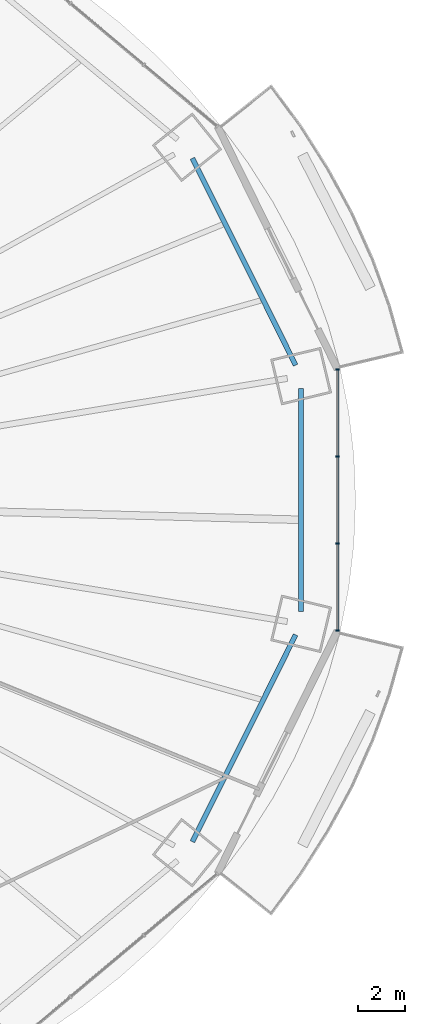
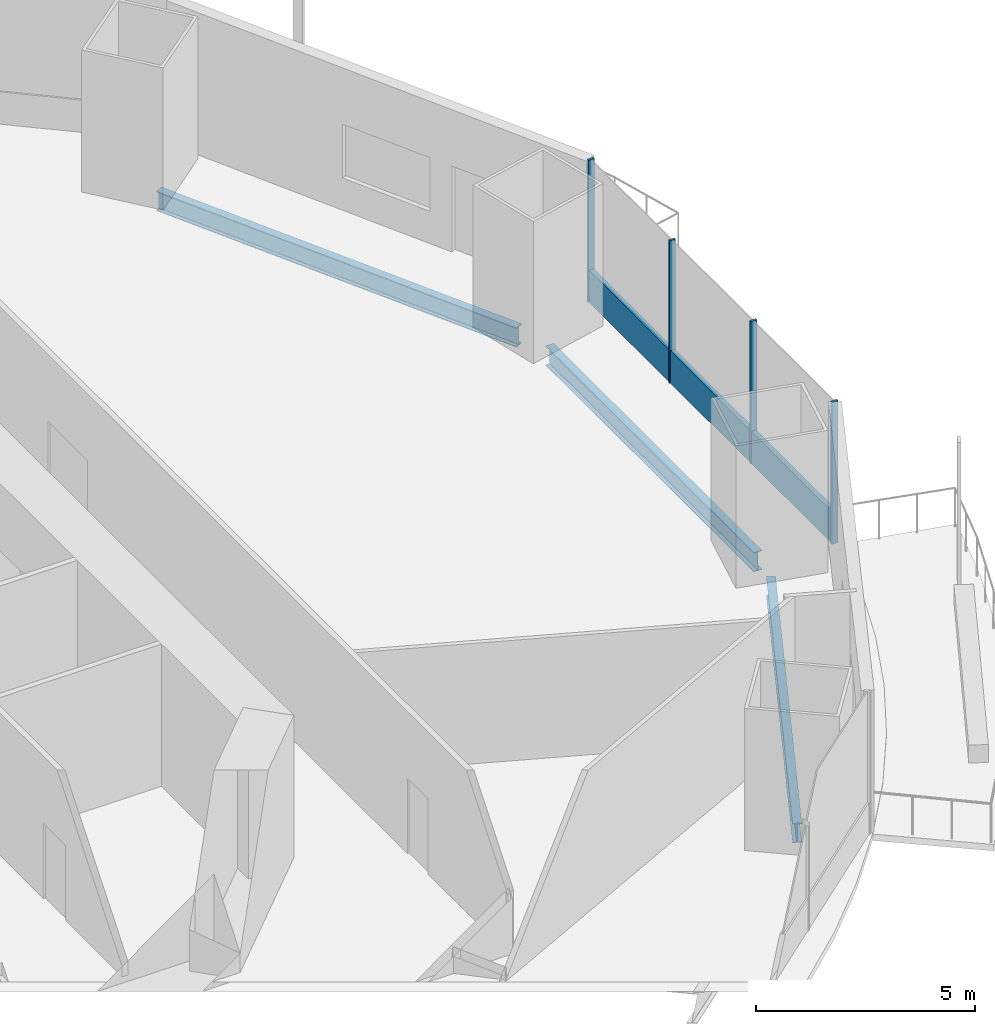
# One storey, part 11 of 22: 5 members, 3 beams, 1 element without a shape of its own.
"""IFC4 building model written with IfcOpenShell, lengths in metres."""

from ifc_helpers import new_model, si_unit, direction, frame, origin, origin_2d, place, context, subcontext, project, spatial, rectangle, i_section, extrude, material, material_profile, profile_set, type_object, element, aggregate, save


model = new_model("IFC4")

# Units and contexts
model_context = context("Model", 3, precision=1e-05, world=origin(), true_north=direction((0.0, 1.0)))
body_context = subcontext(model_context, "Body", "Model", "MODEL_VIEW")
ifc_project = project(units=[si_unit("LENGTHUNIT", "METRE"), si_unit("AREAUNIT", "SQUARE_METRE"), si_unit("VOLUMEUNIT", "CUBIC_METRE"), si_unit("PLANEANGLEUNIT", "RADIAN"), si_unit("MASSUNIT", "GRAM", prefix="KILO")], contexts=[model_context])

# Site, building, storey
site_placement = place(None, origin())
site = spatial("IfcSite", under=ifc_project, at=site_placement, CompositionType="ELEMENT")
building_placement = place(site_placement, origin())
building = spatial("IfcBuilding", under=site, at=building_placement, Name="Marenthal Gate Tower", CompositionType="ELEMENT")
storey_placement = place(building_placement, frame((0.0, 0.0, 111.85009765625)))
storey = spatial("IfcBuildingStorey", under=building, at=storey_placement, Name="L23", CompositionType="ELEMENT", Elevation=111.85009765625)

# Curtain wall, members
ifc_material_1 = material(Name="Aluminium and glass", Category="aluminium")
curtain_wall_type = type_object("IfcCurtainWallType", Name="Curtain wall typical low", PredefinedType="NOTDEFINED", material=ifc_material_1)
curtain_wall_placement = place(storey_placement, origin())
curtain_wall = element("IfcCurtainWall", 1, at=curtain_wall_placement, inside=storey, type_object=curtain_wall_type, Name="Curtain wall L23 bay 16", PredefinedType="NOTDEFINED")
ifc_material_2 = material(Name="Aluminium", Category="aluminium")
ifc_material_profile_1 = material_profile(ifc_material_2, rectangle(XDim=0.159912109375, YDim=0.06005859375, at=origin_2d()), Name="60x160 aluminium mullion")
ifc_profile_set_1 = profile_set([ifc_material_profile_1], Name="Aluminium")
member_type_1 = type_object("IfcMemberType", Name="Mullion 60x160 typical low", PredefinedType="MULLION", material=ifc_profile_set_1)
member_1_placement = place(storey_placement, frame((33.568359375, -5.56689453125, 0.0), z_axis=(0.0, 0.0, 1.0), x_axis=(-1.0, 0.0, 0.0)))
member_1 = element("IfcMember", 2, at=member_1_placement, type_object=member_type_1, Name="Mullion L23 bay 16.1", PredefinedType="MULLION", context=body_context, shape_type="SweptSolid", body=[
    extrude(rectangle(XDim=0.159912109375, YDim=0.06005859375, at=origin_2d()), origin(), (0.0, 0.0, 1.0), 3.969970703125),
])
member_2_placement = place(storey_placement, frame((33.568359375, -1.855712890625, 0.0), z_axis=(0.0, 0.0, 1.0), x_axis=(-1.0, 0.0, 0.0)))
member_2 = element("IfcMember", 3, at=member_2_placement, type_object=member_type_1, Name="Mullion L23 bay 16.2", PredefinedType="MULLION", context=body_context, shape_type="SweptSolid", body=[
    extrude(rectangle(XDim=0.159912109375, YDim=0.06005859375, at=origin_2d()), origin(), (0.0, 0.0, 1.0), 3.969970703125),
])
member_3_placement = place(storey_placement, frame((33.568359375, 1.855712890625, 0.0), z_axis=(0.0, 0.0, 1.0), x_axis=(-1.0, 0.0, 0.0)))
member_3 = element("IfcMember", 4, at=member_3_placement, type_object=member_type_1, Name="Mullion L23 bay 16.3", PredefinedType="MULLION", context=body_context, shape_type="SweptSolid", body=[
    extrude(rectangle(XDim=0.159912109375, YDim=0.06005859375, at=origin_2d()), origin(), (0.0, 0.0, 1.0), 3.969970703125),
])
member_4_placement = place(storey_placement, frame((33.568359375, 5.56689453125, 0.0), z_axis=(0.0, 0.0, 1.0), x_axis=(-1.0, 0.0, 0.0)))
member_4 = element("IfcMember", 5, at=member_4_placement, type_object=member_type_1, Name="Mullion L23 bay 16.4", PredefinedType="MULLION", context=body_context, shape_type="SweptSolid", body=[
    extrude(rectangle(XDim=0.159912109375, YDim=0.06005859375, at=origin_2d()), origin(), (0.0, 0.0, 1.0), 3.969970703125),
])
ifc_material_3 = material(Name="Aluminium", Category="aluminium")
ifc_material_profile_2 = material_profile(ifc_material_3, rectangle(XDim=0.1201171875, YDim=0.89990234375, at=origin_2d()), Name="120x900 aluminium transom")
ifc_profile_set_2 = profile_set([ifc_material_profile_2], Name="Aluminium")
member_type_2 = type_object("IfcMemberType", Name="Transom 120x900 typical low", PredefinedType="USERDEFINED", material=ifc_profile_set_2)
member_5_placement = place(storey_placement, frame((33.568359375, -5.536865234375, 0.449951171875), z_axis=(0.0, 1.0, 0.0), x_axis=(-1.0, 0.0, 0.0)))
member_5 = element("IfcMember", 6, at=member_5_placement, type_object=member_type_2, Name="Transom L23 bay 16", ObjectType="TRANSOM", PredefinedType="USERDEFINED", context=body_context, shape_type="SweptSolid", body=[
    extrude(rectangle(XDim=0.1201171875, YDim=0.89990234375, at=origin_2d()), origin(), (0.0, 0.0, 1.0), 11.07373046875),
])
aggregate(curtain_wall, [member_1, member_2, member_3, member_4, member_5])

# Beams
ifc_material_4 = material(Name="Steel S355", Category="steel")
ifc_material_profile_3 = material_profile(ifc_material_4, i_section(OverallWidth=0.2119140625, OverallDepth=0.5439453125, WebThickness=0.01318359375, FlangeThickness=0.021240234375, FilletRadius=0.0126953125, at=origin_2d()), Name="W530X123")
ifc_profile_set_3 = profile_set([ifc_material_profile_3], Name="Steel S355")
beam_type = type_object("IfcBeamType", Name="W530X123 beam", PredefinedType="BEAM", material=ifc_profile_set_3)
for number, where, z_axis, x_axis, name in (
    (7, (31.78369140625, 5.759521484375, -0.4521484375), (-0.446372399163, 0.894847294942, 0.0), (-0.894847294942, -0.446372399163, 0.0), "BM-L23-41"),
    (8, (27.3779296875, -14.591796875, -0.4521484375), (0.446372399163, 0.894847294942, 0.0), (-0.894847294942, 0.446372399163, 0.0), "BM-L23-55"),
):
    element("IfcBeam", number, at=place(storey_placement, frame(where, z_axis=z_axis, x_axis=x_axis)), inside=storey, type_object=beam_type, Name=name, PredefinedType="BEAM", context=body_context, shape_type="SweptSolid", body=[
        extrude(i_section(OverallWidth=0.2119140625, OverallDepth=0.5439453125, WebThickness=0.01318359375, FlangeThickness=0.021240234375, FilletRadius=0.0126953125, at=origin_2d()), origin(), (0.0, 0.0, 1.0), 9.8701171875),
    ])
beam_placement = place(storey_placement, frame((32.018798828125, -4.76025390625, -0.4521484375), z_axis=(0.0, 1.0, 0.0), x_axis=(-1.0, 0.0, 0.0)))
element("IfcBeam", 9, at=beam_placement, inside=storey, type_object=beam_type, Name="BM-L23-56", PredefinedType="BEAM", context=body_context, shape_type="SweptSolid", body=[
    extrude(i_section(OverallWidth=0.2119140625, OverallDepth=0.5439453125, WebThickness=0.01318359375, FlangeThickness=0.021240234375, FilletRadius=0.0126953125, at=origin_2d()), origin(), (0.0, 0.0, 1.0), 9.5205078125),
])

save(model, "model.ifc")
